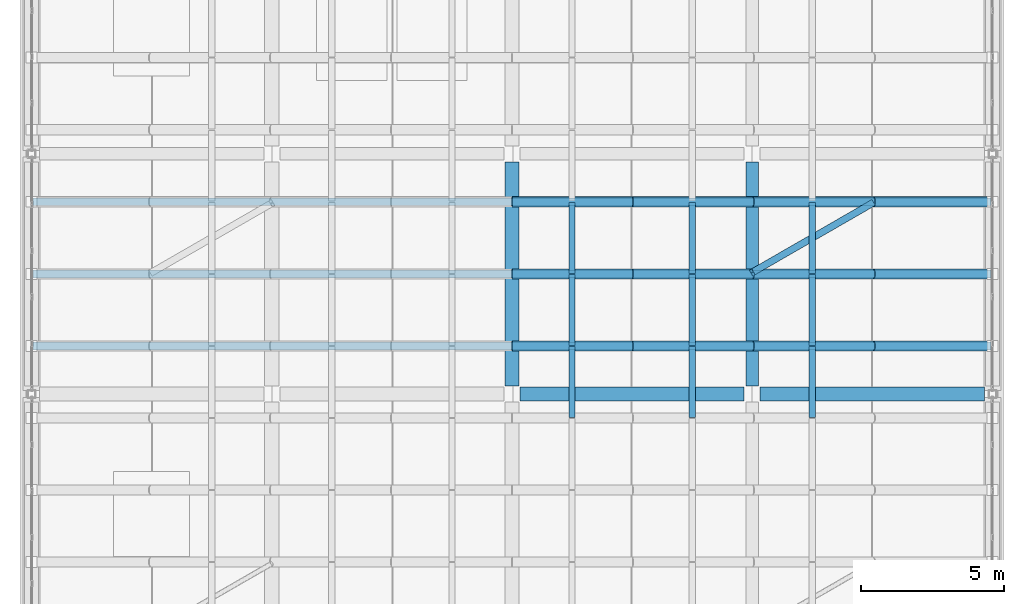
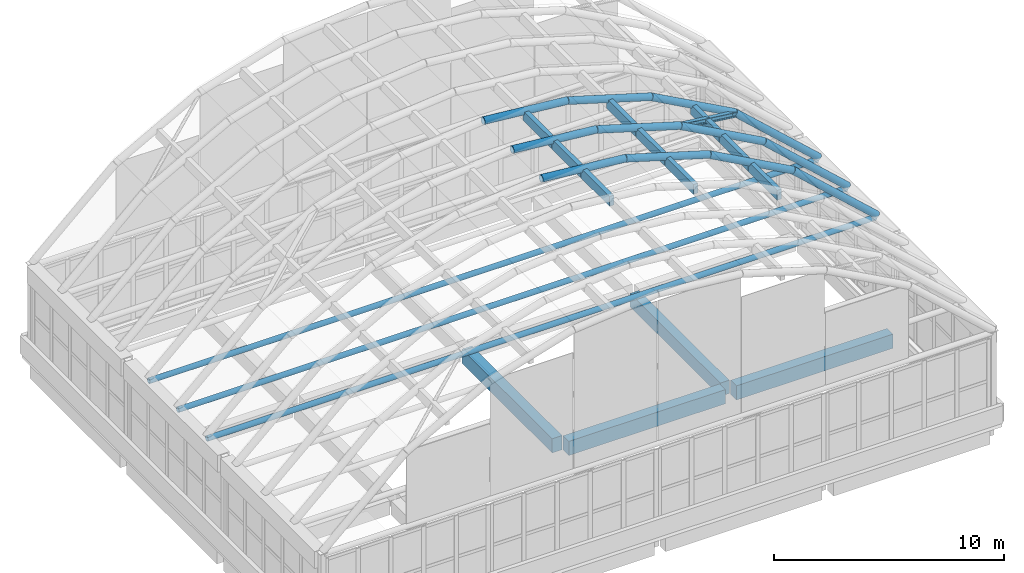
# One storey, part 12 of 26: 19 beams, 10 members.
"""IFC4 building model written with IfcOpenShell, lengths in metres."""

from ifc_helpers import new_model, si_unit, direction, frame, origin, origin_2d, place, context, subcontext, project, spatial, rectangle, hollow_circle, i_section, extrude, material, material_profile, profile_set, type_object, element, save


model = new_model("IFC4")

# Units and contexts
model_context = context("Model", 3, precision=1e-05, world=origin(), true_north=direction((0.0, 1.0)))
body_context = subcontext(model_context, "Body", "Model", "MODEL_VIEW")
ifc_project = project(units=[si_unit("LENGTHUNIT", "METRE"), si_unit("AREAUNIT", "SQUARE_METRE"), si_unit("VOLUMEUNIT", "CUBIC_METRE"), si_unit("PLANEANGLEUNIT", "RADIAN"), si_unit("MASSUNIT", "GRAM", prefix="KILO")], contexts=[model_context])

# Site, building, storey
site_placement = place(None, origin())
site = spatial("IfcSite", under=ifc_project, at=site_placement, CompositionType="ELEMENT")
building_placement = place(site_placement, origin())
building = spatial("IfcBuilding", under=site, at=building_placement, Name="Xazarin Passage Department Store", CompositionType="ELEMENT")
storey_placement = place(building_placement, frame((0.0, 0.0, 36.89990234375)))
storey = spatial("IfcBuildingStorey", under=building, at=storey_placement, Name="RF", CompositionType="ELEMENT", Elevation=36.89990234375)

# Beams
ifc_material_1 = material(Name="Steel S355", Category="steel")
ifc_material_profile_1 = material_profile(ifc_material_1, hollow_circle(Radius=0.177734375, WallThickness=0.01611328125, at=origin_2d()), Name="CHS 355.6x16")
ifc_profile_set_1 = profile_set([ifc_material_profile_1], Name="Steel S355")
beam_type_1 = type_object("IfcBeamType", Name="STR-BM-AR355", PredefinedType="BEAM", material=ifc_profile_set_1)
beam_1_placement = place(storey_placement, frame((16.800048828125, 86.47998046875, 12.60009765625), z_axis=(0.995387696044, 0.0, -0.095934011512), x_axis=(0.0, 1.0, 0.0)))
element("IfcBeam", 1, at=beam_1_placement, inside=storey, type_object=beam_type_1, Name="V1V Primary Arch Rib 5.5", PredefinedType="BEAM", context=body_context, shape_type="SweptSolid", body=[
    extrude(hollow_circle(Radius=0.177734375, WallThickness=0.01611328125, at=origin_2d()), origin(), (0.0, 0.0, 1.0), 4.219482421875),
])
beam_2_placement = place(storey_placement, frame((21.0, 86.47998046875, 12.1953125), z_axis=(0.957702086096, 0.0, -0.287761558044), x_axis=(0.0, 1.0, 0.0)))
element("IfcBeam", 2, at=beam_2_placement, inside=storey, type_object=beam_type_1, Name="V1V Primary Arch Rib 5.6", PredefinedType="BEAM", context=body_context, shape_type="SweptSolid", body=[
    extrude(hollow_circle(Radius=0.177734375, WallThickness=0.01611328125, at=origin_2d()), origin(), (0.0, 0.0, 1.0), 4.385498046875),
])
beam_3_placement = place(storey_placement, frame((25.199951171875, 86.47998046875, 10.933349609375), z_axis=(0.877197007336, 0.0, -0.480130617978), x_axis=(0.0, 1.0, 0.0)))
element("IfcBeam", 3, at=beam_3_placement, inside=storey, type_object=beam_type_1, Name="V1V Primary Arch Rib 5.7", PredefinedType="BEAM", context=body_context, shape_type="SweptSolid", body=[
    extrude(hollow_circle(Radius=0.177734375, WallThickness=0.01611328125, at=origin_2d()), origin(), (0.0, 0.0, 1.0), 4.787841796875),
])
beam_4_placement = place(storey_placement, frame((29.39990234375, 86.47998046875, 8.634521484375), z_axis=(0.7388916912, 0.0, -0.673824211999), x_axis=(0.0, 1.0, 0.0)))
element("IfcBeam", 4, at=beam_4_placement, inside=storey, type_object=beam_type_1, Name="V1V Primary Arch Rib 5.8", PredefinedType="BEAM", context=body_context, shape_type="SweptSolid", body=[
    extrude(hollow_circle(Radius=0.177734375, WallThickness=0.01611328125, at=origin_2d()), origin(), (0.0, 0.0, 1.0), 5.6845703125),
])
beam_5_placement = place(storey_placement, frame((16.800048828125, 89.0, 12.60009765625), z_axis=(0.995387696044, 0.0, -0.095934011512), x_axis=(0.0, 1.0, 0.0)))
element("IfcBeam", 5, at=beam_5_placement, inside=storey, type_object=beam_type_1, Name="V1V Primary Arch Rib 6.5", PredefinedType="BEAM", context=body_context, shape_type="SweptSolid", body=[
    extrude(hollow_circle(Radius=0.177734375, WallThickness=0.01611328125, at=origin_2d()), origin(), (0.0, 0.0, 1.0), 4.219482421875),
])
beam_6_placement = place(storey_placement, frame((21.0, 89.0, 12.1953125), z_axis=(0.957702086096, 0.0, -0.287761558044), x_axis=(0.0, 1.0, 0.0)))
element("IfcBeam", 6, at=beam_6_placement, inside=storey, type_object=beam_type_1, Name="V1V Primary Arch Rib 6.6", PredefinedType="BEAM", context=body_context, shape_type="SweptSolid", body=[
    extrude(hollow_circle(Radius=0.177734375, WallThickness=0.01611328125, at=origin_2d()), origin(), (0.0, 0.0, 1.0), 4.385498046875),
])
beam_7_placement = place(storey_placement, frame((25.199951171875, 89.0, 10.933349609375), z_axis=(0.877197007336, 0.0, -0.480130617978), x_axis=(0.0, 1.0, 0.0)))
element("IfcBeam", 7, at=beam_7_placement, inside=storey, type_object=beam_type_1, Name="V1V Primary Arch Rib 6.7", PredefinedType="BEAM", context=body_context, shape_type="SweptSolid", body=[
    extrude(hollow_circle(Radius=0.177734375, WallThickness=0.01611328125, at=origin_2d()), origin(), (0.0, 0.0, 1.0), 4.787841796875),
])
beam_8_placement = place(storey_placement, frame((29.39990234375, 89.0, 8.634521484375), z_axis=(0.7388916912, 0.0, -0.673824211999), x_axis=(0.0, 1.0, 0.0)))
element("IfcBeam", 8, at=beam_8_placement, inside=storey, type_object=beam_type_1, Name="V1V Primary Arch Rib 6.8", PredefinedType="BEAM", context=body_context, shape_type="SweptSolid", body=[
    extrude(hollow_circle(Radius=0.177734375, WallThickness=0.01611328125, at=origin_2d()), origin(), (0.0, 0.0, 1.0), 5.6845703125),
])
beam_9_placement = place(storey_placement, frame((16.800048828125, 91.52001953125, 12.60009765625), z_axis=(0.995387696044, 0.0, -0.095934011512), x_axis=(0.0, 1.0, 0.0)))
element("IfcBeam", 9, at=beam_9_placement, inside=storey, type_object=beam_type_1, Name="V1V Primary Arch Rib 7.5", PredefinedType="BEAM", context=body_context, shape_type="SweptSolid", body=[
    extrude(hollow_circle(Radius=0.177734375, WallThickness=0.01611328125, at=origin_2d()), origin(), (0.0, 0.0, 1.0), 4.219482421875),
])
beam_10_placement = place(storey_placement, frame((21.0, 91.52001953125, 12.1953125), z_axis=(0.957702086096, 0.0, -0.287761558044), x_axis=(0.0, 1.0, 0.0)))
element("IfcBeam", 10, at=beam_10_placement, inside=storey, type_object=beam_type_1, Name="V1V Primary Arch Rib 7.6", PredefinedType="BEAM", context=body_context, shape_type="SweptSolid", body=[
    extrude(hollow_circle(Radius=0.177734375, WallThickness=0.01611328125, at=origin_2d()), origin(), (0.0, 0.0, 1.0), 4.385498046875),
])
beam_11_placement = place(storey_placement, frame((25.199951171875, 91.52001953125, 10.933349609375), z_axis=(0.877197007336, 0.0, -0.480130617978), x_axis=(0.0, 1.0, 0.0)))
element("IfcBeam", 11, at=beam_11_placement, inside=storey, type_object=beam_type_1, Name="V1V Primary Arch Rib 7.7", PredefinedType="BEAM", context=body_context, shape_type="SweptSolid", body=[
    extrude(hollow_circle(Radius=0.177734375, WallThickness=0.01611328125, at=origin_2d()), origin(), (0.0, 0.0, 1.0), 4.787841796875),
])
beam_12_placement = place(storey_placement, frame((29.39990234375, 91.52001953125, 8.634521484375), z_axis=(0.7388916912, 0.0, -0.673824211999), x_axis=(0.0, 1.0, 0.0)))
element("IfcBeam", 12, at=beam_12_placement, inside=storey, type_object=beam_type_1, Name="V1V Primary Arch Rib 7.8", PredefinedType="BEAM", context=body_context, shape_type="SweptSolid", body=[
    extrude(hollow_circle(Radius=0.177734375, WallThickness=0.01611328125, at=origin_2d()), origin(), (0.0, 0.0, 1.0), 5.6845703125),
])
ifc_material_2 = material(Name="Concrete C35/45", Category="concrete")
ifc_material_profile_2 = material_profile(ifc_material_2, rectangle(XDim=0.449951171875, YDim=0.699951171875, at=origin_2d()), Name="RC 450x700")
ifc_profile_set_2 = profile_set([ifc_material_profile_2], Name="Concrete C35/45")
beam_type_2 = type_object("IfcBeamType", Name="STR-BM-G450x700", PredefinedType="BEAM", material=ifc_profile_set_2)
beam_13_placement = place(storey_placement, frame((25.199951171875, 85.080078125, -0.60986328125), z_axis=(0.0, 1.0, 0.0), x_axis=(-1.0, 0.0, 0.0)))
element("IfcBeam", 13, at=beam_13_placement, inside=storey, type_object=beam_type_2, Name="RF Grid Beam 4/M-N", PredefinedType="BEAM", context=body_context, shape_type="SweptSolid", body=[
    extrude(rectangle(XDim=0.449951171875, YDim=0.699951171875, at=origin_2d()), origin(), (0.0, 0.0, 1.0), 7.83984375),
])
ifc_material_profile_3 = material_profile(ifc_material_2, rectangle(XDim=0.5, YDim=0.75, at=origin_2d()), Name="RC 500x750")
ifc_profile_set_3 = profile_set([ifc_material_profile_3], Name="Concrete C35/45")
beam_type_3 = type_object("IfcBeamType", Name="STR-BM-SP500x750", PredefinedType="SPANDREL", material=ifc_profile_set_3)
beam_14_placement = place(storey_placement, frame((17.080078125, 84.800048828125, -0.635009765625), z_axis=(1.0, 0.0, 0.0), x_axis=(0.0, 1.0, 0.0)))
element("IfcBeam", 14, at=beam_14_placement, inside=storey, type_object=beam_type_3, Name="RF Grid Beam M/3-4", PredefinedType="SPANDREL", context=body_context, shape_type="SweptSolid", body=[
    extrude(rectangle(XDim=0.5, YDim=0.75, at=origin_2d()), origin(), (0.0, 0.0, 1.0), 7.83984375),
])
beam_15_placement = place(storey_placement, frame((25.47998046875, 84.800048828125, -0.635009765625), z_axis=(1.0, 0.0, 0.0), x_axis=(0.0, 1.0, 0.0)))
element("IfcBeam", 15, at=beam_15_placement, inside=storey, type_object=beam_type_3, Name="RF Grid Beam M/4-5", PredefinedType="SPANDREL", context=body_context, shape_type="SweptSolid", body=[
    extrude(rectangle(XDim=0.5, YDim=0.75, at=origin_2d()), origin(), (0.0, 0.0, 1.0), 7.840087890625),
])
beam_16_placement = place(storey_placement, frame((16.800048828125, 85.080078125, -0.635009765625), z_axis=(0.0, 1.0, 0.0), x_axis=(-1.0, 0.0, 0.0)))
element("IfcBeam", 16, at=beam_16_placement, inside=storey, type_object=beam_type_3, Name="RF Grid Beam 3/M-N", PredefinedType="SPANDREL", context=body_context, shape_type="SweptSolid", body=[
    extrude(rectangle(XDim=0.5, YDim=0.75, at=origin_2d()), origin(), (0.0, 0.0, 1.0), 7.83984375),
])
ifc_material_profile_4 = material_profile(ifc_material_1, hollow_circle(Radius=0.136474609375, WallThickness=0.012451171875, at=origin_2d()), Name="CHS 273x12.5")
ifc_profile_set_4 = profile_set([ifc_material_profile_4], Name="Steel S355")
beam_type_4 = type_object("IfcBeamType", Name="STR-BM-TIE273", PredefinedType="BEAM", material=ifc_profile_set_4)
for number, where, z_axis, x_axis, name in (
    (17, (0.050048828125, 86.47998046875, 4.684326171875), (1.0, 0.0, 0.0), (0.0, 1.0, 0.0), "V1V Arch Tie Beam 5"),
    (18, (0.050048828125, 89.0, 4.684326171875), (1.0, 0.0, 0.0), (0.0, 1.0, 0.0), "V1V Arch Tie Beam 6"),
    (19, (0.050048828125, 91.52001953125, 4.684326171875), (1.0, 0.0, 0.0), (0.0, 1.0, 0.0), "V1V Arch Tie Beam 7"),
):
    element("IfcBeam", number, at=place(storey_placement, frame(where, z_axis=z_axis, x_axis=x_axis)), inside=storey, type_object=beam_type_4, Name=name, PredefinedType="BEAM", context=body_context, shape_type="SweptSolid", body=[
        extrude(hollow_circle(Radius=0.136474609375, WallThickness=0.012451171875, at=origin_2d()), origin(), (0.0, 0.0, 1.0), 33.5),
    ])

# Members
ifc_material_3 = material(Name="Glulam GL28h", Category="wood")
ifc_material_profile_5 = material_profile(ifc_material_3, rectangle(XDim=0.219970703125, YDim=0.52001953125, at=origin_2d()), Name="GL28h 220x520")
ifc_profile_set_5 = profile_set([ifc_material_profile_5], Name="Glulam GL28h")
member_type_1 = type_object("IfcMemberType", Name="STR-MEM-GL520", PredefinedType="PURLIN", material=ifc_profile_set_5)
for number, where, z_axis, x_axis, name in (
    (20, (18.89990234375, 83.97998046875, 12.195556640625), (0.0, 1.0, 0.0), (-1.0, 0.0, 0.0), "V1V Glulam Gridshell Purlin 4.5"),
    (21, (23.10009765625, 83.97998046875, 11.3623046875), (0.0, 1.0, 0.0), (-1.0, 0.0, 0.0), "V1V Glulam Gridshell Purlin 4.6"),
    (22, (27.300048828125, 83.97998046875, 9.581787109375), (0.0, 1.0, 0.0), (-1.0, 0.0, 0.0), "V1V Glulam Gridshell Purlin 4.7"),
    (23, (18.89990234375, 86.5, 12.195556640625), (0.0, 1.0, 0.0), (-1.0, 0.0, 0.0), "V1V Glulam Gridshell Purlin 5.5"),
    (24, (23.10009765625, 86.5, 11.3623046875), (0.0, 1.0, 0.0), (-1.0, 0.0, 0.0), "V1V Glulam Gridshell Purlin 5.6"),
    (25, (27.300048828125, 86.5, 9.581787109375), (0.0, 1.0, 0.0), (-1.0, 0.0, 0.0), "V1V Glulam Gridshell Purlin 5.7"),
    (26, (18.89990234375, 89.02001953125, 12.195556640625), (0.0, 1.0, 0.0), (-1.0, 0.0, 0.0), "V1V Glulam Gridshell Purlin 6.5"),
    (27, (23.10009765625, 89.02001953125, 11.3623046875), (0.0, 1.0, 0.0), (-1.0, 0.0, 0.0), "V1V Glulam Gridshell Purlin 6.6"),
    (28, (27.300048828125, 89.02001953125, 9.581787109375), (0.0, 1.0, 0.0), (-1.0, 0.0, 0.0), "V1V Glulam Gridshell Purlin 6.7"),
):
    element("IfcMember", number, at=place(storey_placement, frame(where, z_axis=z_axis, x_axis=x_axis)), inside=storey, type_object=member_type_1, Name=name, PredefinedType="PURLIN", context=body_context, shape_type="SweptSolid", body=[
        extrude(rectangle(XDim=0.219970703125, YDim=0.52001953125, at=origin_2d()), origin(), (0.0, 0.0, 1.0), 2.47998046875),
    ])
ifc_material_profile_6 = material_profile(ifc_material_1, i_section(OverallWidth=0.239990234375, OverallDepth=0.239990234375, WebThickness=0.010009765625, FlangeThickness=0.01708984375, FilletRadius=0.02099609375, at=origin_2d()), Name="HEB 240")
ifc_profile_set_6 = profile_set([ifc_material_profile_6], Name="Steel S355")
member_type_2 = type_object("IfcMemberType", Name="STR-MEM-HB240", PredefinedType="BRACE", material=ifc_profile_set_6)
member_placement = place(storey_placement, frame((25.199951171875, 89.050048828125, 10.88330078125), z_axis=(0.782883550445, 0.451080727316, -0.428508487531), x_axis=(-0.499238382051, 0.866464677807, 0.0)))
element("IfcMember", 29, at=member_placement, inside=storey, type_object=member_type_2, Name="V1V Gridshell Diagonal Brace 6.6", PredefinedType="BRACE", context=body_context, shape_type="SweptSolid", body=[
    extrude(i_section(OverallWidth=0.239990234375, OverallDepth=0.239990234375, WebThickness=0.010009765625, FlangeThickness=0.01708984375, FilletRadius=0.02099609375, at=origin_2d()), origin(), (0.0, 0.0, 1.0), 5.36474609375),
])

save(model, "model.ifc")
